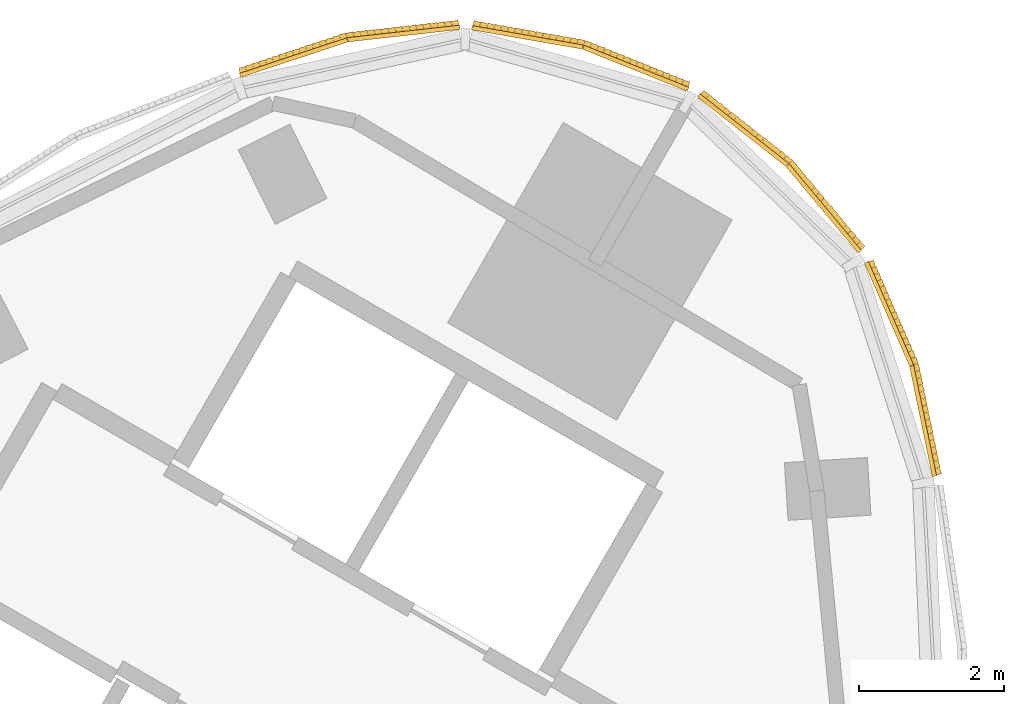
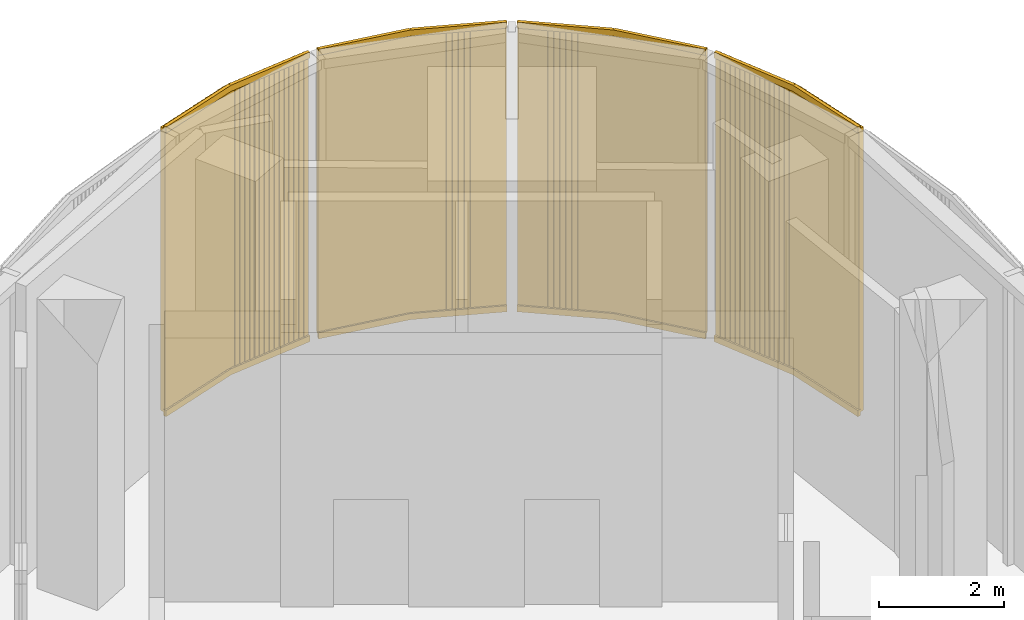
# One storey, part 13 of 14: 4 coverings.
"""IFC4 building model written with IfcOpenShell, lengths in metres."""

from ifc_helpers import new_model, si_unit, direction, frame, frame_2d, origin, place, context, subcontext, project, spatial, rectangle, extrude, source, transform, mapped, material, type_object, element, save


model = new_model("IFC4")

# Units and contexts
model_context = context("Model", 3, precision=1e-05, world=origin(), true_north=direction((0.0, 1.0)))
body_context = subcontext(model_context, "Body", "Model", "MODEL_VIEW")
ifc_project = project(units=[si_unit("LENGTHUNIT", "METRE"), si_unit("AREAUNIT", "SQUARE_METRE"), si_unit("VOLUMEUNIT", "CUBIC_METRE"), si_unit("PLANEANGLEUNIT", "RADIAN"), si_unit("MASSUNIT", "GRAM", prefix="KILO")], contexts=[model_context])

# Site, building, storey
site_placement = place(None, origin())
site = spatial("IfcSite", under=ifc_project, at=site_placement, CompositionType="ELEMENT")
building_placement = place(site_placement, origin())
building = spatial("IfcBuilding", under=site, at=building_placement, Name="Tamra Quay Hotel Tower", CompositionType="ELEMENT")
storey_placement = place(building_placement, frame((0.0, 0.0, 169.60009765625)))
storey = spatial("IfcBuildingStorey", under=building, at=storey_placement, Name="L42", CompositionType="ELEMENT", Elevation=169.60009765625)

# Coverings
ifc_material = material(Name="Terracotta baguette extruded", Category="masonry")
covering_type = type_object("IfcCoveringType", Name="BAGUETTE SCREEN CORNER-SHALLOW H5650", PredefinedType="USERDEFINED", material=ifc_material)
shared_shape = source(origin(), body_context, "Body", "SweptSolid", [
    extrude(rectangle(XDim=1.56103515625, YDim=0.06005859375, at=frame_2d((0.780517578125, 0.030029296875))), frame((-1.558837890625, -0.0576171875, -0.1201171875), z_axis=(0.0, 0.0, 1.0), x_axis=(0.994521895368, -0.104528463268, 0.0)), (0.0, 0.0, 1.0), 0.1201171875),
    extrude(rectangle(XDim=1.56103515625, YDim=0.06005859375, at=frame_2d((0.780517578125, 0.030029296875))), frame((-1.558837890625, -0.0576171875, -5.64990234375), z_axis=(0.0, 0.0, 1.0), x_axis=(0.994521895368, -0.104528463268, 0.0)), (0.0, 0.0, 1.0), 0.1201171875),
    extrude(rectangle(XDim=0.094970703125, YDim=0.10009765625, at=frame_2d((0.04736328125, 0.050048828125))), frame((-1.551513671875, -0.133056640625, -5.590087890625)), (0.0, 0.0, 1.0), 5.530029296875),
    extrude(rectangle(XDim=0.094970703125, YDim=0.10009765625, at=frame_2d((0.04736328125, 0.050048828125))), frame((-1.454345703125, -0.143310546875, -5.590087890625)), (0.0, 0.0, 1.0), 5.530029296875),
    extrude(rectangle(XDim=0.094970703125, YDim=0.10009765625, at=frame_2d((0.04736328125, 0.050048828125))), frame((-1.357421875, -0.153564453125, -5.590087890625)), (0.0, 0.0, 1.0), 5.530029296875),
    extrude(rectangle(XDim=0.094970703125, YDim=0.10009765625, at=frame_2d((0.04736328125, 0.050048828125))), frame((-1.260498046875, -0.16357421875, -5.590087890625)), (0.0, 0.0, 1.0), 5.530029296875),
    extrude(rectangle(XDim=0.094970703125, YDim=0.10009765625, at=frame_2d((0.04736328125, 0.050048828125))), frame((-1.163330078125, -0.173828125, -5.590087890625)), (0.0, 0.0, 1.0), 5.530029296875),
    extrude(rectangle(XDim=0.094970703125, YDim=0.10009765625, at=frame_2d((0.04736328125, 0.050048828125))), frame((-1.06640625, -0.18408203125, -5.590087890625)), (0.0, 0.0, 1.0), 5.530029296875),
    extrude(rectangle(XDim=0.094970703125, YDim=0.10009765625, at=frame_2d((0.04736328125, 0.050048828125))), frame((-0.96923828125, -0.1943359375, -5.590087890625)), (0.0, 0.0, 1.0), 5.530029296875),
    extrude(rectangle(XDim=0.094970703125, YDim=0.10009765625, at=frame_2d((0.04736328125, 0.050048828125))), frame((-0.872314453125, -0.20458984375, -5.590087890625)), (0.0, 0.0, 1.0), 5.530029296875),
    extrude(rectangle(XDim=0.094970703125, YDim=0.10009765625, at=frame_2d((0.04736328125, 0.050048828125))), frame((-0.775146484375, -0.214599609375, -5.590087890625)), (0.0, 0.0, 1.0), 5.530029296875),
    extrude(rectangle(XDim=0.094970703125, YDim=0.10009765625, at=frame_2d((0.04736328125, 0.050048828125))), frame((-0.67822265625, -0.224853515625, -5.590087890625)), (0.0, 0.0, 1.0), 5.530029296875),
    extrude(rectangle(XDim=0.094970703125, YDim=0.10009765625, at=frame_2d((0.04736328125, 0.050048828125))), frame((-0.5810546875, -0.235107421875, -5.590087890625)), (0.0, 0.0, 1.0), 5.530029296875),
    extrude(rectangle(XDim=0.094970703125, YDim=0.10009765625, at=frame_2d((0.04736328125, 0.050048828125))), frame((-0.484130859375, -0.245361328125, -5.590087890625)), (0.0, 0.0, 1.0), 5.530029296875),
    extrude(rectangle(XDim=0.094970703125, YDim=0.10009765625, at=frame_2d((0.04736328125, 0.050048828125))), frame((-0.38720703125, -0.25537109375, -5.590087890625)), (0.0, 0.0, 1.0), 5.530029296875),
    extrude(rectangle(XDim=0.094970703125, YDim=0.10009765625, at=frame_2d((0.04736328125, 0.050048828125))), frame((-0.2900390625, -0.265625, -5.590087890625)), (0.0, 0.0, 1.0), 5.530029296875),
    extrude(rectangle(XDim=0.094970703125, YDim=0.10009765625, at=frame_2d((0.04736328125, 0.050048828125))), frame((-0.193115234375, -0.27587890625, -5.590087890625)), (0.0, 0.0, 1.0), 5.530029296875),
    extrude(rectangle(XDim=0.094970703125, YDim=0.10009765625, at=frame_2d((0.04736328125, 0.050048828125))), frame((-0.095947265625, -0.2861328125, -5.590087890625)), (0.0, 0.0, 1.0), 5.530029296875),
    extrude(rectangle(XDim=1.56103515625, YDim=0.06005859375, at=frame_2d((0.780517578125, 0.030029296875))), frame((0.00634765625, -0.220947265625, -0.1201171875), z_axis=(0.0, 0.0, 1.0), x_axis=(0.994521895368, 0.104528463268, 0.0)), (0.0, 0.0, 1.0), 0.1201171875),
    extrude(rectangle(XDim=1.56103515625, YDim=0.06005859375, at=frame_2d((0.780517578125, 0.030029296875))), frame((0.00634765625, -0.220947265625, -5.64990234375), z_axis=(0.0, 0.0, 1.0), x_axis=(0.994521895368, 0.104528463268, 0.0)), (0.0, 0.0, 1.0), 0.1201171875),
    extrude(rectangle(XDim=0.094970703125, YDim=0.10009765625, at=frame_2d((0.04736328125, 0.050048828125))), frame((0.0009765625, -0.2861328125, -5.590087890625)), (0.0, 0.0, 1.0), 5.530029296875),
    extrude(rectangle(XDim=0.094970703125, YDim=0.10009765625, at=frame_2d((0.04736328125, 0.050048828125))), frame((0.09814453125, -0.27587890625, -5.590087890625)), (0.0, 0.0, 1.0), 5.530029296875),
    extrude(rectangle(XDim=0.094970703125, YDim=0.10009765625, at=frame_2d((0.04736328125, 0.050048828125))), frame((0.195068359375, -0.265625, -5.590087890625)), (0.0, 0.0, 1.0), 5.530029296875),
    extrude(rectangle(XDim=0.094970703125, YDim=0.10009765625, at=frame_2d((0.04736328125, 0.050048828125))), frame((0.2919921875, -0.25537109375, -5.590087890625)), (0.0, 0.0, 1.0), 5.530029296875),
    extrude(rectangle(XDim=0.094970703125, YDim=0.10009765625, at=frame_2d((0.04736328125, 0.050048828125))), frame((0.38916015625, -0.245361328125, -5.590087890625)), (0.0, 0.0, 1.0), 5.530029296875),
    extrude(rectangle(XDim=0.094970703125, YDim=0.10009765625, at=frame_2d((0.04736328125, 0.050048828125))), frame((0.486083984375, -0.235107421875, -5.590087890625)), (0.0, 0.0, 1.0), 5.530029296875),
    extrude(rectangle(XDim=0.094970703125, YDim=0.10009765625, at=frame_2d((0.04736328125, 0.050048828125))), frame((0.583251953125, -0.224853515625, -5.590087890625)), (0.0, 0.0, 1.0), 5.530029296875),
    extrude(rectangle(XDim=0.094970703125, YDim=0.10009765625, at=frame_2d((0.04736328125, 0.050048828125))), frame((0.68017578125, -0.214599609375, -5.590087890625)), (0.0, 0.0, 1.0), 5.530029296875),
    extrude(rectangle(XDim=0.094970703125, YDim=0.10009765625, at=frame_2d((0.04736328125, 0.050048828125))), frame((0.77734375, -0.20458984375, -5.590087890625)), (0.0, 0.0, 1.0), 5.530029296875),
    extrude(rectangle(XDim=0.094970703125, YDim=0.10009765625, at=frame_2d((0.04736328125, 0.050048828125))), frame((0.874267578125, -0.1943359375, -5.590087890625)), (0.0, 0.0, 1.0), 5.530029296875),
    extrude(rectangle(XDim=0.094970703125, YDim=0.10009765625, at=frame_2d((0.04736328125, 0.050048828125))), frame((0.971435546875, -0.18408203125, -5.590087890625)), (0.0, 0.0, 1.0), 5.530029296875),
    extrude(rectangle(XDim=0.094970703125, YDim=0.10009765625, at=frame_2d((0.04736328125, 0.050048828125))), frame((1.068359375, -0.173828125, -5.590087890625)), (0.0, 0.0, 1.0), 5.530029296875),
    extrude(rectangle(XDim=0.094970703125, YDim=0.10009765625, at=frame_2d((0.04736328125, 0.050048828125))), frame((1.165283203125, -0.16357421875, -5.590087890625)), (0.0, 0.0, 1.0), 5.530029296875),
    extrude(rectangle(XDim=0.094970703125, YDim=0.10009765625, at=frame_2d((0.04736328125, 0.050048828125))), frame((1.262451171875, -0.153564453125, -5.590087890625)), (0.0, 0.0, 1.0), 5.530029296875),
    extrude(rectangle(XDim=0.094970703125, YDim=0.10009765625, at=frame_2d((0.04736328125, 0.050048828125))), frame((1.359375, -0.143310546875, -5.590087890625)), (0.0, 0.0, 1.0), 5.530029296875),
    extrude(rectangle(XDim=0.094970703125, YDim=0.10009765625, at=frame_2d((0.04736328125, 0.050048828125))), frame((1.45654296875, -0.133056640625, -5.590087890625)), (0.0, 0.0, 1.0), 5.530029296875),
])
for number, where, z_axis, x_axis, name in (
    (1, (18.04833984375, 22.5048828125, 5.64990234375), (0.0, 0.0, 1.0), (-0.303410479682, 0.952859948166, 0.0), "Baguette screen L42.E.c09"),
    (2, (16.379150390625, 25.19970703125, 5.64990234375), (0.0, 0.0, 1.0), (-0.717974699393, 0.696069199888, 0.0), "Baguette screen L42.E.c10"),
    (3, (13.634033203125, 26.78466796875, 5.64990234375), (0.0, 0.0, 1.0), (-0.961800959591, 0.273749729005, 0.0), "Baguette screen L42.E.c11"),
    (4, (10.465576171875, 26.8828125, 5.64990234375), (0.0, 0.0, 1.0), (-0.976906161202, -0.213668790904, 0.0), "Baguette screen L42.E.c12"),
):
    element("IfcCovering", number, at=place(storey_placement, frame(where, z_axis=z_axis, x_axis=x_axis)), inside=storey, type_object=covering_type, Name=name, ObjectType="BAGUETTE SCREEN", PredefinedType="USERDEFINED", context=body_context, shape_type="MappedRepresentation", body=[
        mapped(shared_shape, transform((0.0, 0.0, 0.0), scale=1.0)),
    ])

save(model, "model.ifc")
